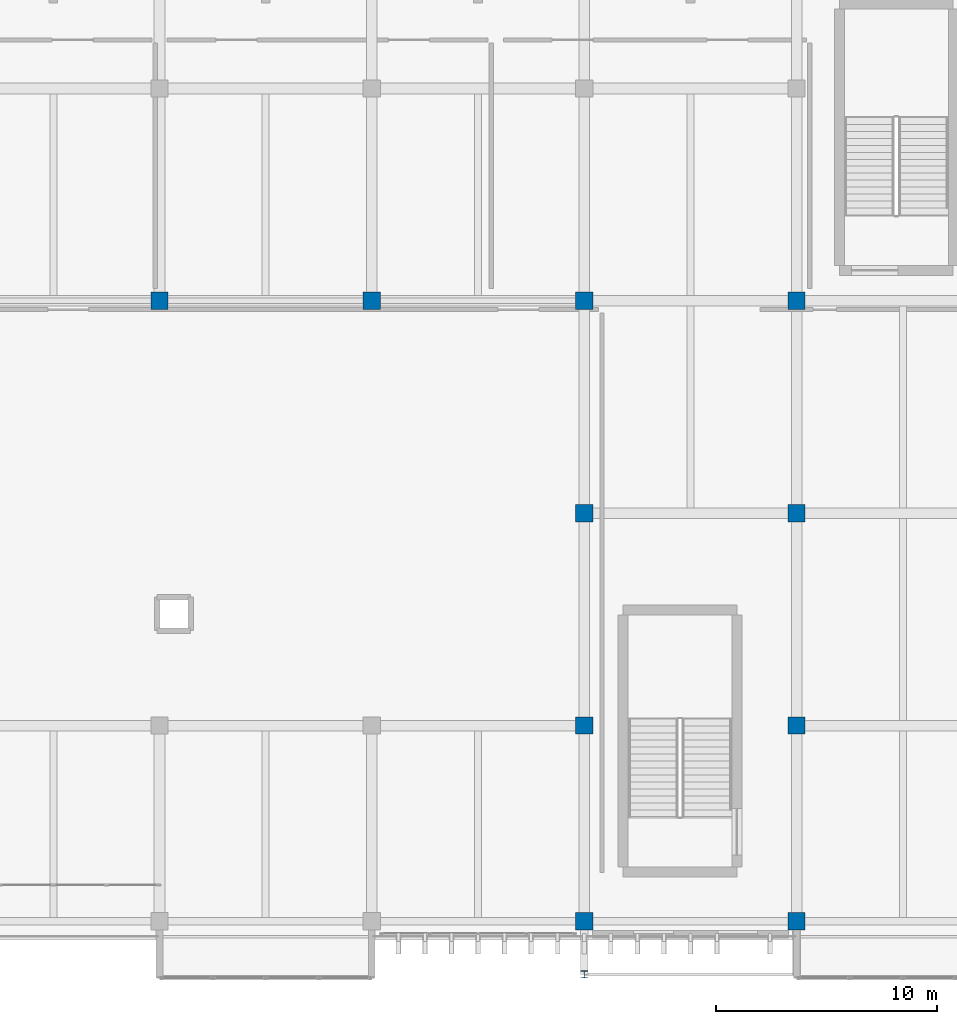
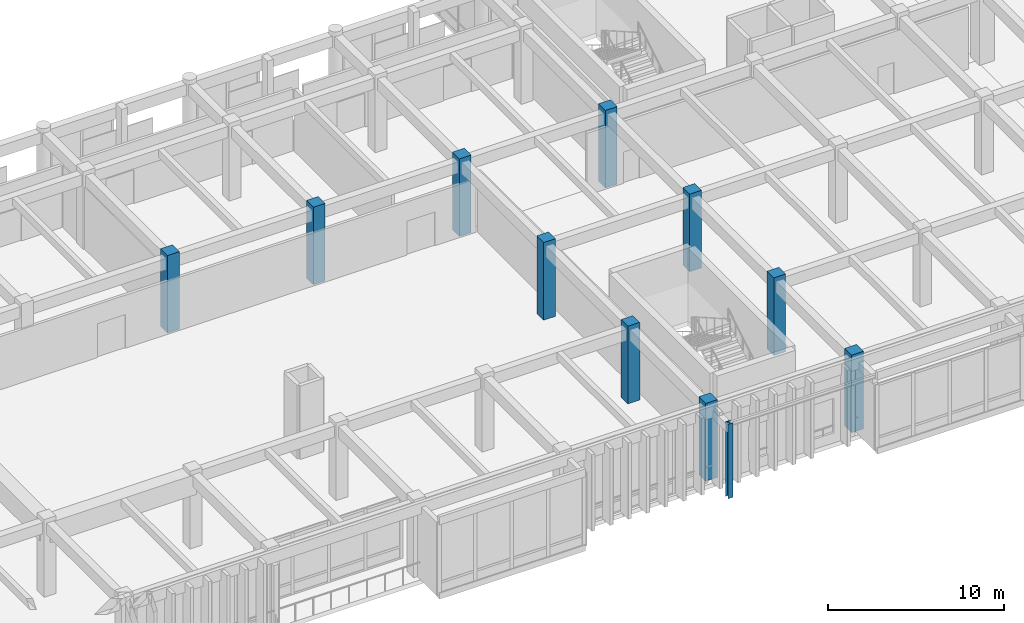
# One storey, part 2 of 134: 11 columns.
"""IFC4 building model written with IfcOpenShell, lengths in metres."""

from ifc_helpers import new_model, si_unit, direction, frame, origin, origin_2d, place, context, subcontext, project, spatial, rectangle, i_section, extrude, material, material_profile, profile_set, type_object, element, save


model = new_model("IFC4")

# Units and contexts
model_context = context("Model", 3, precision=1e-05, world=origin(), true_north=direction((0.0, 1.0)))
body_context = subcontext(model_context, "Body", "Model", "MODEL_VIEW")
ifc_project = project(units=[si_unit("LENGTHUNIT", "METRE"), si_unit("AREAUNIT", "SQUARE_METRE"), si_unit("VOLUMEUNIT", "CUBIC_METRE"), si_unit("PLANEANGLEUNIT", "RADIAN"), si_unit("MASSUNIT", "GRAM", prefix="KILO")], contexts=[model_context])

# Site, building, storey
site_placement = place(None, origin())
site = spatial("IfcSite", under=ifc_project, at=site_placement, CompositionType="ELEMENT")
building_placement = place(site_placement, origin())
building = spatial("IfcBuilding", under=site, at=building_placement, Name="Nakhvara Creek Congress Hotel", CompositionType="ELEMENT")
storey_placement = place(building_placement, frame((0.0, 0.0, 6.0)))
storey = spatial("IfcBuildingStorey", under=building, at=storey_placement, Name="L01", CompositionType="ELEMENT", Elevation=6.0)

# Columns
ifc_material_1 = material(Name="Concrete C50/60", Category="concrete")
ifc_material_profile_1 = material_profile(ifc_material_1, rectangle(XDim=0.780029296875, YDim=0.780029296875, at=origin_2d()), Name="RC-COL 780x780", Category="LoadBearing")
ifc_profile_set_1 = profile_set([ifc_material_profile_1], Name="Concrete C50/60")
column_type_1 = type_object("IfcColumnType", Name="COL-RC-780", PredefinedType="COLUMN", material=ifc_profile_set_1)
for number, where, z_axis, x_axis, name in (
    (1, (96.0, 28.800048828125, 0.0), (0.0, 0.0, 1.0), (1.0, 0.0, 0.0), "Column C19-L01-0919"),
    (2, (105.60009765625, 28.800048828125, 0.0), (0.0, 0.0, 1.0), (1.0, 0.0, 0.0), "Column C19-L01-0927"),
    (3, (115.199951171875, 0.75, 0.0), (0.0, 0.0, 1.0), (1.0, 0.0, 0.0), "Column C19-L01-0933"),
    (4, (115.199951171875, 9.60009765625, 0.0), (0.0, 0.0, 1.0), (1.0, 0.0, 0.0), "Column C19-L01-0934"),
    (5, (115.199951171875, 19.199951171875, 0.0), (0.0, 0.0, 1.0), (1.0, 0.0, 0.0), "Column C19-L01-0935"),
    (6, (115.199951171875, 28.800048828125, 0.0), (0.0, 0.0, 1.0), (1.0, 0.0, 0.0), "Column C19-L01-0936"),
    (7, (124.800048828125, 0.75, 0.0), (0.0, 0.0, 1.0), (1.0, 0.0, 0.0), "Column C19-L01-0942"),
    (8, (124.800048828125, 9.60009765625, 0.0), (0.0, 0.0, 1.0), (1.0, 0.0, 0.0), "Column C19-L01-0943"),
    (9, (124.800048828125, 19.199951171875, 0.0), (0.0, 0.0, 1.0), (1.0, 0.0, 0.0), "Column C19-L01-0944"),
    (10, (124.800048828125, 28.800048828125, 0.0), (0.0, 0.0, 1.0), (1.0, 0.0, 0.0), "Column C19-L01-0945"),
):
    element("IfcColumn", number, at=place(storey_placement, frame(where, z_axis=z_axis, x_axis=x_axis)), inside=storey, type_object=column_type_1, Name=name, PredefinedType="COLUMN", context=body_context, shape_type="SweptSolid", body=[
        extrude(rectangle(XDim=0.780029296875, YDim=0.780029296875, at=origin_2d()), origin(), (0.0, 0.0, 1.0), 5.39990234375),
    ])
ifc_material_2 = material(Name="Steel S355J2", Category="steel")
ifc_material_profile_2 = material_profile(ifc_material_2, i_section(OverallWidth=0.307373046875, OverallDepth=0.314453125, WebThickness=0.011962890625, FlangeThickness=0.018798828125, FilletRadius=0.01513671875, at=origin_2d()), Name="UC 305x305x118", Category="LoadBearing")
ifc_profile_set_2 = profile_set([ifc_material_profile_2], Name="Steel S355J2")
column_type_2 = type_object("IfcColumnType", Name="COL-ST-UC305", PredefinedType="COLUMN", material=ifc_profile_set_2)
column_placement = place(storey_placement, frame((115.199951171875, -1.64990234375, 0.0), z_axis=(0.0, 0.0, 1.0), x_axis=(1.0, 0.0, 0.0)))
element("IfcColumn", 11, at=column_placement, inside=storey, type_object=column_type_2, Name="Column CS2-L01-0978", PredefinedType="COLUMN", context=body_context, shape_type="SweptSolid", body=[
    extrude(i_section(OverallWidth=0.307373046875, OverallDepth=0.314453125, WebThickness=0.011962890625, FlangeThickness=0.018798828125, FilletRadius=0.01513671875, at=origin_2d()), origin(), (0.0, 0.0, 1.0), 5.179931640625),
])

save(model, "model.ifc")
